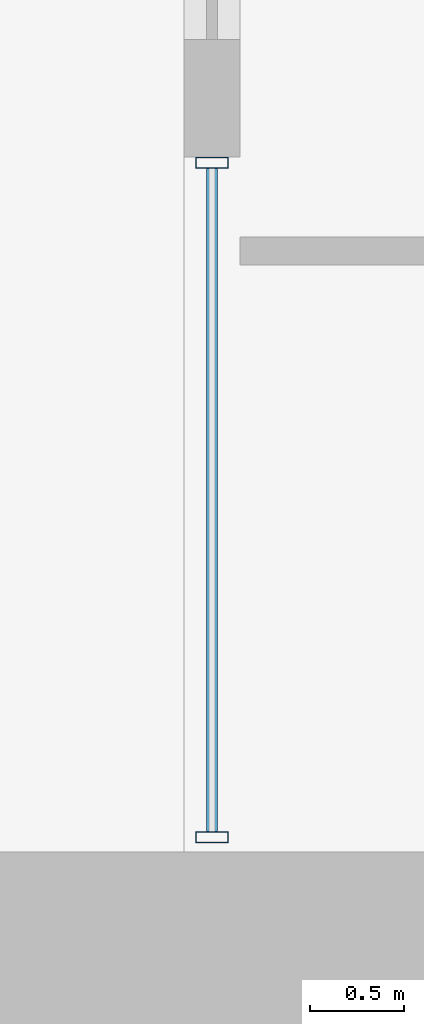
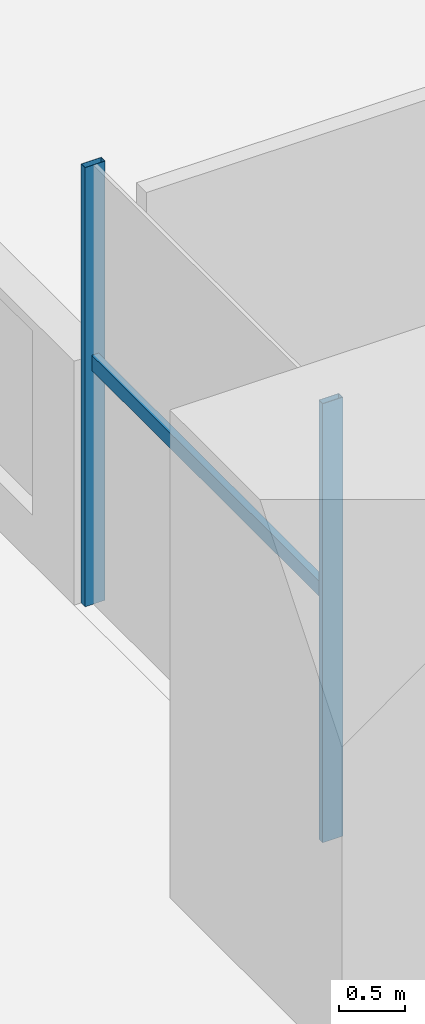
# One storey, part 3 of 26: 3 members, 1 element without a shape of its own.
"""IFC4 building model written with IfcOpenShell, lengths in metres."""

from ifc_helpers import new_model, si_unit, direction, frame, origin, origin_2d, place, context, subcontext, project, spatial, hollow_rectangle, extrude, material, material_profile, profile_set, type_object, element, aggregate, save


model = new_model("IFC4")

# Units and contexts
model_context = context("Model", 3, precision=1e-05, world=origin(), true_north=direction((0.0, 1.0)))
body_context = subcontext(model_context, "Body", "Model", "MODEL_VIEW")
ifc_project = project(units=[si_unit("LENGTHUNIT", "METRE"), si_unit("AREAUNIT", "SQUARE_METRE"), si_unit("VOLUMEUNIT", "CUBIC_METRE"), si_unit("PLANEANGLEUNIT", "RADIAN"), si_unit("MASSUNIT", "GRAM", prefix="KILO")], contexts=[model_context])

# Site, building, storey
site_placement = place(None, origin())
site = spatial("IfcSite", under=ifc_project, at=site_placement, CompositionType="ELEMENT")
building_placement = place(site_placement, origin())
building = spatial("IfcBuilding", under=site, at=building_placement, Name="Altepetl Exchange Towers", CompositionType="ELEMENT")
storey_placement = place(building_placement, frame((0.0, 0.0, 16.5)))
storey = spatial("IfcBuildingStorey", under=building, at=storey_placement, Name="L03 Podium terrace", CompositionType="ELEMENT", Elevation=16.5)

# Curtain wall, members
ifc_material_1 = material(Name="Aluminium 6063-T6 glazing", Category="aluminium")
curtain_wall_type = type_object("IfcCurtainWallType", Name="Podium storefront system", PredefinedType="NOTDEFINED", material=ifc_material_1)
curtain_wall_placement = place(storey_placement, origin())
curtain_wall = element("IfcCurtainWall", 1, at=curtain_wall_placement, inside=storey, type_object=curtain_wall_type, Name="CW5 run", PredefinedType="NOTDEFINED")
ifc_material_2 = material(Name="Aluminium 6063-T6", Category="aluminium")
ifc_material_profile_1 = material_profile(ifc_material_2, hollow_rectangle(XDim=0.06005859375, YDim=0.175048828125, WallThickness=0.0029296875, at=origin_2d()), Name="Mullion 60x175 aluminium")
ifc_profile_set_1 = profile_set([ifc_material_profile_1], Name="Aluminium 6063-T6")
member_type_1 = type_object("IfcMemberType", Name="Mullion 60x175 aluminium", PredefinedType="MULLION", material=ifc_profile_set_1)
member_1_placement = place(storey_placement, frame((27.14990234375, 49.969970703125, 0.0), z_axis=(0.0, 0.0, 1.0), x_axis=(0.0, -1.0, 0.0)))
member_1 = element("IfcMember", 2, at=member_1_placement, type_object=member_type_1, Name="MU4 mullion", PredefinedType="MULLION", context=body_context, shape_type="SweptSolid", body=[
    extrude(hollow_rectangle(XDim=0.06005859375, YDim=0.175048828125, WallThickness=0.0029296875, at=origin_2d()), origin(), (0.0, 0.0, 1.0), 4.050048828125),
])
member_2_placement = place(storey_placement, frame((27.14990234375, 46.3798828125, 0.0), z_axis=(0.0, 0.0, 1.0), x_axis=(0.0, -1.0, 0.0)))
member_2 = element("IfcMember", 3, at=member_2_placement, type_object=member_type_1, Name="MU4 mullion", PredefinedType="MULLION", context=body_context, shape_type="SweptSolid", body=[
    extrude(hollow_rectangle(XDim=0.06005859375, YDim=0.175048828125, WallThickness=0.0029296875, at=origin_2d()), origin(), (0.0, 0.0, 1.0), 4.050048828125),
])
ifc_material_profile_2 = material_profile(ifc_material_2, hollow_rectangle(XDim=0.06005859375, YDim=0.139892578125, WallThickness=0.0029296875, at=origin_2d()), Name="Transom 60x140 aluminium")
ifc_profile_set_2 = profile_set([ifc_material_profile_2], Name="Aluminium 6063-T6")
member_type_2 = type_object("IfcMemberType", Name="Transom 60x140 aluminium", PredefinedType="USERDEFINED", material=ifc_profile_set_2)
member_3_placement = place(storey_placement, frame((27.14990234375, 49.93994140625, 2.22998046875), z_axis=(0.0, -1.0, 0.0), x_axis=(1.0, 0.0, 0.0)))
member_3 = element("IfcMember", 4, at=member_3_placement, type_object=member_type_2, Name="TR3 transom", ObjectType="TRANSOM", PredefinedType="USERDEFINED", context=body_context, shape_type="SweptSolid", body=[
    extrude(hollow_rectangle(XDim=0.06005859375, YDim=0.139892578125, WallThickness=0.0029296875, at=origin_2d()), origin(), (0.0, 0.0, 1.0), 3.530029296875),
])
aggregate(curtain_wall, [member_1, member_2, member_3])

save(model, "model.ifc")
